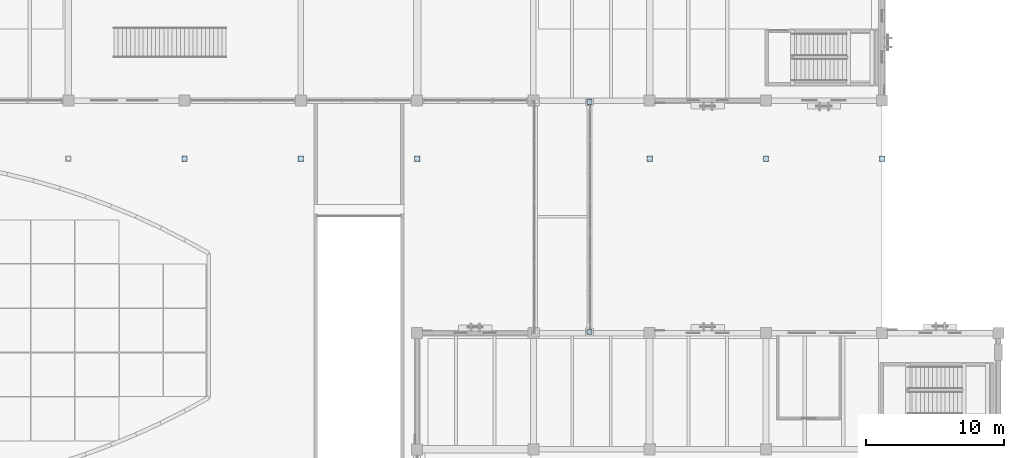
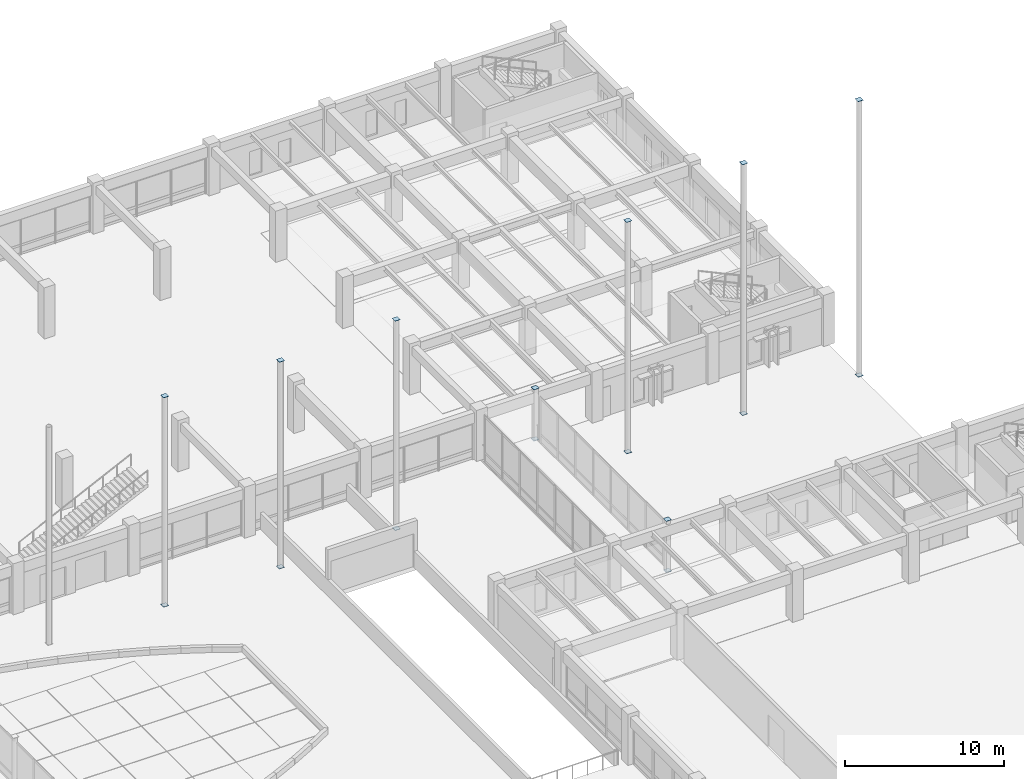
# One storey, part 83 of 135: 16 plates.
"""IFC4 building model written with IfcOpenShell, lengths in metres."""

from ifc_helpers import new_model, si_unit, direction, frame, origin, origin_2d, place, context, subcontext, project, spatial, rectangle, extrude, material, layer, layer_set, type_object, element, save


model = new_model("IFC4")

# Units and contexts
model_context = context("Model", 3, precision=1e-05, world=origin(), true_north=direction((0.0, 1.0)))
body_context = subcontext(model_context, "Body", "Model", "MODEL_VIEW")
ifc_project = project(units=[si_unit("LENGTHUNIT", "METRE"), si_unit("AREAUNIT", "SQUARE_METRE"), si_unit("VOLUMEUNIT", "CUBIC_METRE"), si_unit("PLANEANGLEUNIT", "RADIAN"), si_unit("MASSUNIT", "GRAM", prefix="KILO")], contexts=[model_context])

# Site, building, storey
site_placement = place(None, origin())
site = spatial("IfcSite", under=ifc_project, at=site_placement, CompositionType="ELEMENT")
building_placement = place(site_placement, origin())
building = spatial("IfcBuilding", under=site, at=building_placement, Name="Cumbredor Promenade Congress Hotel", CompositionType="ELEMENT")
storey_placement = place(building_placement, origin())
storey = spatial("IfcBuildingStorey", under=building, at=storey_placement, Name="L00", CompositionType="ELEMENT", Elevation=0.0)

# Plates
ifc_material = material(Name="Steel ASTM A572 Grade 50", Category="steel")
ifc_layer = layer(ifc_material, 0.02001953125, Name="Steel ASTM A572 Grade 50", Category="steel")
ifc_layer_set = layer_set([ifc_layer], Name="Steel ASTM A572 Grade 50")
plate_type = type_object("IfcPlateType", Name="Hollow Section End Cap Plate CP-04", PredefinedType="USERDEFINED", material=ifc_layer_set)
for number, where, z_axis, x_axis, name in (
    (1, (126.0, 79.800048828125, -0.01806640625), (0.0, 0.0, 1.0), (1.0, 0.0, 0.0), "Pre-Function and Breakout Meeting Forum Slim Overhang Pavilion Column 04 Start Cap Plate"),
    (2, (126.0, 79.800048828125, 16.043212890625), (0.0, 0.0, 1.0), (1.0, 0.0, 0.0), "Pre-Function and Breakout Meeting Forum Slim Overhang Pavilion Column 04 End Cap Plate"),
    (3, (134.39990234375, 79.800048828125, -0.01806640625), (0.0, 0.0, 1.0), (1.0, 0.0, 0.0), "Pre-Function and Breakout Meeting Forum Slim Overhang Pavilion Column 05 Start Cap Plate"),
    (4, (134.39990234375, 79.800048828125, 15.831787109375), (0.0, 0.0, 1.0), (1.0, 0.0, 0.0), "Pre-Function and Breakout Meeting Forum Slim Overhang Pavilion Column 05 End Cap Plate"),
    (5, (142.800048828125, 79.800048828125, -0.01806640625), (0.0, 0.0, 1.0), (1.0, 0.0, 0.0), "Pre-Function and Breakout Meeting Forum Slim Overhang Pavilion Column 06 Start Cap Plate"),
    (6, (142.800048828125, 79.800048828125, 16.043212890625), (0.0, 0.0, 1.0), (1.0, 0.0, 0.0), "Pre-Function and Breakout Meeting Forum Slim Overhang Pavilion Column 06 End Cap Plate"),
    (7, (159.60009765625, 79.800048828125, -0.01806640625), (0.0, 0.0, 1.0), (1.0, 0.0, 0.0), "Pre-Function and Breakout Meeting Forum Slim Overhang Pavilion Column 07 Start Cap Plate"),
    (8, (159.60009765625, 79.800048828125, 17.735107421875), (0.0, 0.0, 1.0), (1.0, 0.0, 0.0), "Pre-Function and Breakout Meeting Forum Slim Overhang Pavilion Column 07 End Cap Plate"),
    (9, (168.0, 79.800048828125, -0.01806640625), (0.0, 0.0, 1.0), (1.0, 0.0, 0.0), "Pre-Function and Breakout Meeting Forum Slim Overhang Pavilion Column 08 Start Cap Plate"),
    (10, (168.0, 79.800048828125, 19.21435546875), (0.0, 0.0, 1.0), (1.0, 0.0, 0.0), "Pre-Function and Breakout Meeting Forum Slim Overhang Pavilion Column 08 End Cap Plate"),
    (11, (176.39990234375, 79.800048828125, -0.01806640625), (0.0, 0.0, 1.0), (1.0, 0.0, 0.0), "Pre-Function and Breakout Meeting Forum Slim Overhang Pavilion Column 09 Start Cap Plate"),
    (12, (176.39990234375, 79.800048828125, 21.11474609375), (0.0, 0.0, 1.0), (1.0, 0.0, 0.0), "Pre-Function and Breakout Meeting Forum Slim Overhang Pavilion Column 09 End Cap Plate"),
    (13, (155.25, 67.280029296875, -0.01806640625), (0.0, 0.0, 1.0), (1.0, 0.0, 0.0), "L00 East Ballroom-to-Forum Glazed Bridge Support Column 2 Start Cap Plate"),
    (14, (155.25, 67.280029296875, 3.91796875), (0.0, 0.0, 1.0), (1.0, 0.0, 0.0), "L00 East Ballroom-to-Forum Glazed Bridge Support Column 2 End Cap Plate"),
    (15, (155.25, 83.919921875, -0.01806640625), (0.0, 0.0, 1.0), (1.0, 0.0, 0.0), "L00 East Ballroom-to-Forum Glazed Bridge Support Column 4 Start Cap Plate"),
    (16, (155.25, 83.919921875, 3.91796875), (0.0, 0.0, 1.0), (1.0, 0.0, 0.0), "L00 East Ballroom-to-Forum Glazed Bridge Support Column 4 End Cap Plate"),
):
    element("IfcPlate", number, at=place(storey_placement, frame(where, z_axis=z_axis, x_axis=x_axis)), inside=storey, type_object=plate_type, Name=name, ObjectType="CAP PLATE", PredefinedType="USERDEFINED", context=body_context, shape_type="SweptSolid", body=[
        extrude(rectangle(XDim=0.3798828125, YDim=0.3798828125, at=origin_2d()), origin(), (0.0, 0.0, 1.0), 0.02001953125),
    ])

save(model, "model.ifc")
